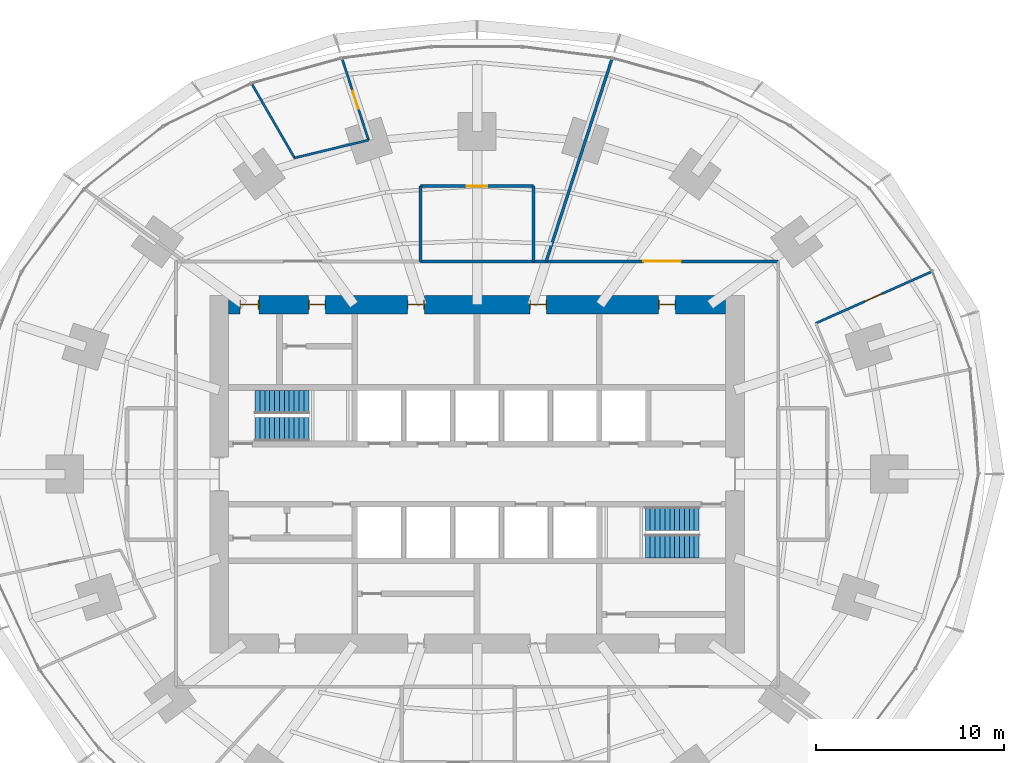
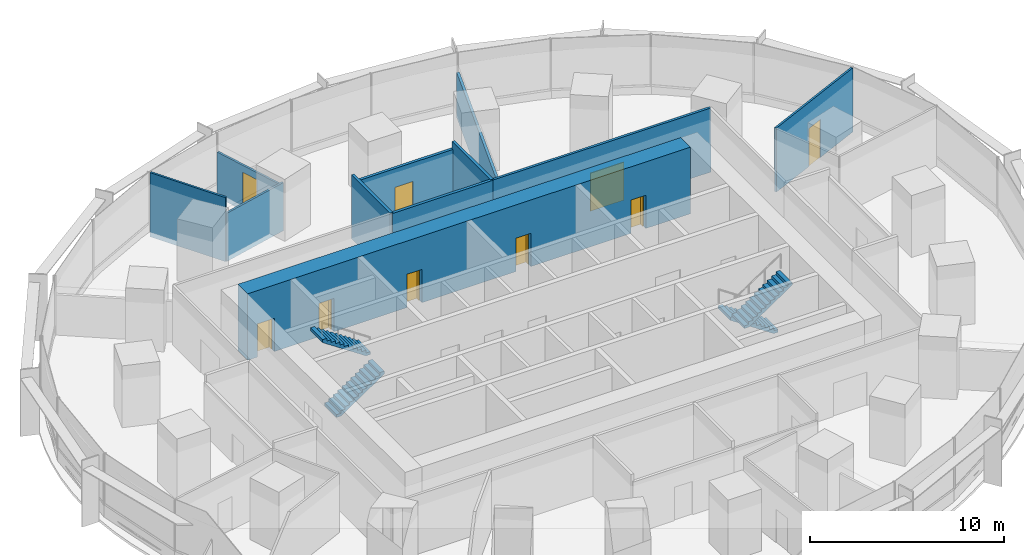
# One storey, part 13 of 15: 11 walls, 9 doors, 4 stair flights, 9 openings, 2 elements without a shape of their own.
"""IFC4 building model written with IfcOpenShell, lengths in metres."""

from ifc_helpers import new_model, si_unit, direction, frame, frame_2d, origin, place, context, subcontext, project, spatial, polyline, rectangle, outline, extrude, material, layer, layer_set, type_object, element, fill, aggregate, save


model = new_model("IFC4")

# Units and contexts
model_context = context("Model", 3, precision=1e-05, world=origin(), true_north=direction((0.0, 1.0)))
body_context = subcontext(model_context, "Body", "Model", "MODEL_VIEW")
ifc_project = project(units=[si_unit("LENGTHUNIT", "METRE"), si_unit("AREAUNIT", "SQUARE_METRE"), si_unit("VOLUMEUNIT", "CUBIC_METRE"), si_unit("PLANEANGLEUNIT", "RADIAN"), si_unit("MASSUNIT", "GRAM", prefix="KILO")], contexts=[model_context])

# Site, building, storey
site_placement = place(None, origin())
site = spatial("IfcSite", under=ifc_project, at=site_placement, CompositionType="ELEMENT")
building_placement = place(site_placement, origin())
building = spatial("IfcBuilding", under=site, at=building_placement, Name="Marramba Exchange Tower", CompositionType="ELEMENT")
storey_placement = place(building_placement, frame((0.0, 0.0, 74.199951171875)))
storey = spatial("IfcBuildingStorey", under=building, at=storey_placement, Name="L17", CompositionType="ELEMENT", Elevation=74.199951171875)

# Walls
ifc_material_1 = material(Name="Plasterboard on staggered double steel studs, acoustic insulation", Category="steel")
ifc_layer_1 = layer(ifc_material_1, 0.169921875)
ifc_layer_set_1 = layer_set([ifc_layer_1], Name="Acoustic partition 170")
wall_type_1 = type_object("IfcWallType", Name="Acoustic partition 170", PredefinedType="PARTITIONING", material=ifc_layer_set_1)
wall_1_placement = place(storey_placement, frame((3.0, 11.300048828125, 0.0), z_axis=(0.0, 0.0, 1.0), x_axis=(0.0, 1.0, 0.0)))
element("IfcWall", 1, at=wall_1_placement, inside=storey, type_object=wall_type_1, Name="Acoustic partition L17 30", PredefinedType="PARTITIONING", context=body_context, shape_type="SweptSolid", body=[
    extrude(rectangle(XDim=4.0, YDim=0.169921875, at=frame_2d((2.0, 0.0))), origin(), (0.0, 0.0, 1.0), 4.0400390625),
])
wall_2_placement = place(storey_placement, frame((-3.0, 11.300048828125, 0.0), z_axis=(0.0, 0.0, 1.0), x_axis=(1.0, 0.0, 0.0)))
element("IfcWall", 2, at=wall_2_placement, inside=storey, type_object=wall_type_1, Name="Acoustic partition L17 31", PredefinedType="PARTITIONING", context=body_context, shape_type="SweptSolid", body=[
    extrude(rectangle(XDim=6.0, YDim=0.169921875, at=frame_2d((3.0, 0.0))), origin(), (0.0, 0.0, 1.0), 4.0400390625),
])

# Wall, opening, door
wall_3_placement = place(storey_placement, frame((3.0, 15.300048828125, 0.0), z_axis=(0.0, 0.0, 1.0), x_axis=(-1.0, 0.0, 0.0)))
wall_3 = element("IfcWall", 3, at=wall_3_placement, inside=storey, type_object=wall_type_1, Name="Acoustic partition L17 32", PredefinedType="PARTITIONING", context=body_context, shape_type="SweptSolid", body=[
    extrude(rectangle(XDim=6.0, YDim=0.169921875, at=frame_2d((3.0, 0.0))), origin(), (0.0, 0.0, 1.0), 3.5859375),
])
opening_1_placement = place(wall_3_placement, frame((2.449951171875, 0.0, 0.0)))
opening_1 = element("IfcOpeningElement", 4, at=opening_1_placement, cuts=wall_3, Name="Opening D15", PredefinedType="OPENING", context=body_context, shape_type="SweptSolid", body=[
    extrude(rectangle(XDim=1.10009765625, YDim=2.39990234375, at=frame_2d((0.550048828125, 1.199951171875))), frame((0.0, 0.094970703125, 0.0), z_axis=(0.0, -1.0, 0.0), x_axis=(1.0, 0.0, 0.0)), (0.0, 0.0, 1.0), 0.18994140625),
])
ifc_material_2 = material(Name="Timber door", Category="wood")
door_type_1 = type_object("IfcDoorType", Name="Glazed meeting room door 1100x2400", OperationType="SINGLE_SWING_LEFT", PredefinedType="DOOR", material=ifc_material_2)
door_1_placement = place(opening_1_placement, origin())
door_1 = element("IfcDoor", 5, at=door_1_placement, inside=storey, type_object=door_type_1, Name="D15 Meeting Room 1 L17", OperationType="SINGLE_SWING_RIGHT", OverallHeight=2.39990234375, OverallWidth=1.10009765625, PredefinedType="DOOR", context=body_context, shape_type="SweptSolid", body=[
    extrude(rectangle(XDim=1.10009765625, YDim=2.39990234375, at=frame_2d((0.550048828125, 1.199951171875))), frame((0.0, 0.02490234375, 0.0), z_axis=(0.0, -1.0, 0.0), x_axis=(1.0, 0.0, 0.0)), (0.0, 0.0, 1.0), 0.050048828125),
])
fill(opening_1, door_1)

# Wall
wall_4_placement = place(storey_placement, frame((-3.0, 15.300048828125, 0.0), z_axis=(0.0, 0.0, 1.0), x_axis=(0.0, -1.0, 0.0)))
element("IfcWall", 6, at=wall_4_placement, inside=storey, type_object=wall_type_1, Name="Acoustic partition L17 33", PredefinedType="PARTITIONING", context=body_context, shape_type="SweptSolid", body=[
    extrude(rectangle(XDim=4.0, YDim=0.169921875, at=frame_2d((2.0, 0.0))), origin(), (0.0, 0.0, 1.0), 4.0400390625),
])

# Wall, openings, doors
ifc_material_3 = material(Name="Concrete N50", Category="concrete")
ifc_layer_2 = layer(ifc_material_3, 1.0)
ifc_layer_set_2 = layer_set([ifc_layer_2], Name="Core wall 1000")
wall_type_2 = type_object("IfcWallType", Name="Core wall 1000", PredefinedType="SHEAR", material=ifc_layer_set_2)
wall_5_placement = place(storey_placement, frame((13.199951171875, 9.0, 0.0), z_axis=(0.0, 0.0, 1.0), x_axis=(-1.0, 0.0, 0.0)))
wall_5 = element("IfcWall", 7, at=wall_5_placement, inside=storey, type_object=wall_type_2, Name="Core wall N L17", PredefinedType="SHEAR", context=body_context, shape_type="SweptSolid", body=[
    extrude(rectangle(XDim=26.39990234375, YDim=1.0, at=frame_2d((13.199951171875, 0.0))), origin(), (0.0, 0.0, 1.0), 4.199951171875),
])
opening_2_placement = place(wall_5_placement, frame((2.64990234375, 0.0, 0.0)))
opening_2 = element("IfcOpeningElement", 8, at=opening_2_placement, cuts=wall_5, Name="Opening D5", PredefinedType="OPENING", context=body_context, shape_type="SweptSolid", body=[
    extrude(rectangle(XDim=0.89990234375, YDim=2.10009765625, at=frame_2d((0.449951171875, 1.050048828125))), frame((0.0, 0.510009765625, 0.0), z_axis=(0.0, -1.0, 0.0), x_axis=(1.0, 0.0, 0.0)), (0.0, 0.0, 1.0), 1.02001953125),
])
opening_3_placement = place(wall_5_placement, frame((9.5, 0.0, 0.0)))
opening_3 = element("IfcOpeningElement", 9, at=opening_3_placement, cuts=wall_5, Name="Opening D3", PredefinedType="OPENING", context=body_context, shape_type="SweptSolid", body=[
    extrude(rectangle(XDim=0.89990234375, YDim=2.10009765625, at=frame_2d((0.449951171875, 1.050048828125))), frame((0.0, 0.510009765625, 0.0), z_axis=(0.0, -1.0, 0.0), x_axis=(1.0, 0.0, 0.0)), (0.0, 0.0, 1.0), 1.02001953125),
])
opening_4_placement = place(wall_5_placement, frame((16.0, 0.0, 0.0)))
opening_4 = element("IfcOpeningElement", 10, at=opening_4_placement, cuts=wall_5, Name="Opening D3", PredefinedType="OPENING", context=body_context, shape_type="SweptSolid", body=[
    extrude(rectangle(XDim=0.89990234375, YDim=2.10009765625, at=frame_2d((0.449951171875, 1.050048828125))), frame((0.0, 0.510009765625, 0.0), z_axis=(0.0, -1.0, 0.0), x_axis=(1.0, 0.0, 0.0)), (0.0, 0.0, 1.0), 1.02001953125),
])
opening_5_placement = place(wall_5_placement, frame((21.25, 0.0, 0.0)))
opening_5 = element("IfcOpeningElement", 11, at=opening_5_placement, cuts=wall_5, Name="Opening D5", PredefinedType="OPENING", context=body_context, shape_type="SweptSolid", body=[
    extrude(rectangle(XDim=0.89990234375, YDim=2.10009765625, at=frame_2d((0.449951171875, 1.050048828125))), frame((0.0, 0.510009765625, 0.0), z_axis=(0.0, -1.0, 0.0), x_axis=(1.0, 0.0, 0.0)), (0.0, 0.0, 1.0), 1.02001953125),
])
opening_6_placement = place(wall_5_placement, frame((24.800048828125, 0.0, 0.0)))
opening_6 = element("IfcOpeningElement", 12, at=opening_6_placement, cuts=wall_5, Name="Opening D4", PredefinedType="OPENING", context=body_context, shape_type="SweptSolid", body=[
    extrude(rectangle(XDim=1.0, YDim=2.10009765625, at=frame_2d((0.5, 1.050048828125))), frame((0.0, 0.510009765625, 0.0), z_axis=(0.0, -1.0, 0.0), x_axis=(1.0, 0.0, 0.0)), (0.0, 0.0, 1.0), 1.02001953125),
])
ifc_material_4 = material(Name="Steel-framed door", Category="steel")
door_type_2 = type_object("IfcDoorType", Name="Accessible toilet door 1000x2100", OperationType="SINGLE_SWING_LEFT", PredefinedType="DOOR", material=ifc_material_4)
door_2_placement = place(opening_6_placement, origin())
door_2 = element("IfcDoor", 13, at=door_2_placement, inside=storey, type_object=door_type_2, Name="D4 awc L17", OperationType="SINGLE_SWING_RIGHT", OverallHeight=2.10009765625, OverallWidth=1.0, PredefinedType="DOOR", context=body_context, shape_type="SweptSolid", body=[
    extrude(rectangle(XDim=0.919921875, YDim=2.06005859375, at=frame_2d((0.5, 1.030029296875))), frame((0.0, 0.02490234375, 0.0), z_axis=(0.0, -1.0, 0.0), x_axis=(1.0, 0.0, 0.0)), (0.0, 0.0, 1.0), 0.050048828125),
    extrude(rectangle(XDim=0.04, YDim=2.10009765625, at=frame_2d((0.02001953125, 1.050048828125))), frame((0.0, 0.25, 0.0), z_axis=(0.0, -1.0, 0.0), x_axis=(1.0, 0.0, 0.0)), (0.0, 0.0, 1.0), 0.5),
    extrude(rectangle(XDim=0.04, YDim=2.10009765625, at=frame_2d((0.97998046875, 1.050048828125))), frame((0.0, 0.25, 0.0), z_axis=(0.0, -1.0, 0.0), x_axis=(1.0, 0.0, 0.0)), (0.0, 0.0, 1.0), 0.5),
    extrude(rectangle(XDim=0.919921875, YDim=0.04, at=frame_2d((0.5, 2.080078125))), frame((0.0, 0.25, 0.0), z_axis=(0.0, -1.0, 0.0), x_axis=(1.0, 0.0, 0.0)), (0.0, 0.0, 1.0), 0.5),
])
fill(opening_6, door_2)
door_type_3 = type_object("IfcDoorType", Name="Service door 900x2100", OperationType="SINGLE_SWING_LEFT", PredefinedType="DOOR", material=ifc_material_4)
door_3_placement = place(opening_2_placement, origin())
door_3 = element("IfcDoor", 14, at=door_3_placement, inside=storey, type_object=door_type_3, Name="D5 comms L17", OperationType="SINGLE_SWING_LEFT", OverallHeight=2.10009765625, OverallWidth=0.89990234375, PredefinedType="DOOR", context=body_context, shape_type="SweptSolid", body=[
    extrude(rectangle(XDim=0.81982421875, YDim=2.06005859375, at=frame_2d((0.449951171875, 1.030029296875))), frame((0.0, 0.02490234375, 0.0), z_axis=(0.0, -1.0, 0.0), x_axis=(1.0, 0.0, 0.0)), (0.0, 0.0, 1.0), 0.050048828125),
    extrude(rectangle(XDim=0.04, YDim=2.10009765625, at=frame_2d((0.02001953125, 1.050048828125))), frame((0.0, 0.25, 0.0), z_axis=(0.0, -1.0, 0.0), x_axis=(1.0, 0.0, 0.0)), (0.0, 0.0, 1.0), 0.5),
    extrude(rectangle(XDim=0.04, YDim=2.10009765625, at=frame_2d((0.8798828125, 1.050048828125))), frame((0.0, 0.25, 0.0), z_axis=(0.0, -1.0, 0.0), x_axis=(1.0, 0.0, 0.0)), (0.0, 0.0, 1.0), 0.5),
    extrude(rectangle(XDim=0.81982421875, YDim=0.04, at=frame_2d((0.449951171875, 2.080078125))), frame((0.0, 0.25, 0.0), z_axis=(0.0, -1.0, 0.0), x_axis=(1.0, 0.0, 0.0)), (0.0, 0.0, 1.0), 0.5),
])
fill(opening_2, door_3)
door_4_placement = place(opening_5_placement, origin())
door_4 = element("IfcDoor", 15, at=door_4_placement, inside=storey, type_object=door_type_3, Name="D5 cleaner L17", OperationType="SINGLE_SWING_RIGHT", OverallHeight=2.10009765625, OverallWidth=0.89990234375, PredefinedType="DOOR", context=body_context, shape_type="SweptSolid", body=[
    extrude(rectangle(XDim=0.81982421875, YDim=2.06005859375, at=frame_2d((0.449951171875, 1.030029296875))), frame((0.0, 0.02490234375, 0.0), z_axis=(0.0, -1.0, 0.0), x_axis=(1.0, 0.0, 0.0)), (0.0, 0.0, 1.0), 0.050048828125),
    extrude(rectangle(XDim=0.04, YDim=2.10009765625, at=frame_2d((0.02001953125, 1.050048828125))), frame((0.0, 0.25, 0.0), z_axis=(0.0, -1.0, 0.0), x_axis=(1.0, 0.0, 0.0)), (0.0, 0.0, 1.0), 0.5),
    extrude(rectangle(XDim=0.04, YDim=2.10009765625, at=frame_2d((0.8798828125, 1.050048828125))), frame((0.0, 0.25, 0.0), z_axis=(0.0, -1.0, 0.0), x_axis=(1.0, 0.0, 0.0)), (0.0, 0.0, 1.0), 0.5),
    extrude(rectangle(XDim=0.81982421875, YDim=0.04, at=frame_2d((0.449951171875, 2.080078125))), frame((0.0, 0.25, 0.0), z_axis=(0.0, -1.0, 0.0), x_axis=(1.0, 0.0, 0.0)), (0.0, 0.0, 1.0), 0.5),
])
fill(opening_5, door_4)
door_type_4 = type_object("IfcDoorType", Name="Toilet door 900x2100", OperationType="SINGLE_SWING_LEFT", PredefinedType="DOOR", material=ifc_material_4)
door_5_placement = place(opening_3_placement, origin())
door_5 = element("IfcDoor", 16, at=door_5_placement, inside=storey, type_object=door_type_4, Name="D3 wc-f L17", OperationType="SINGLE_SWING_RIGHT", OverallHeight=2.10009765625, OverallWidth=0.89990234375, PredefinedType="DOOR", context=body_context, shape_type="SweptSolid", body=[
    extrude(rectangle(XDim=0.81982421875, YDim=2.06005859375, at=frame_2d((0.449951171875, 1.030029296875))), frame((0.0, 0.02490234375, 0.0), z_axis=(0.0, -1.0, 0.0), x_axis=(1.0, 0.0, 0.0)), (0.0, 0.0, 1.0), 0.050048828125),
    extrude(rectangle(XDim=0.04, YDim=2.10009765625, at=frame_2d((0.02001953125, 1.050048828125))), frame((0.0, 0.25, 0.0), z_axis=(0.0, -1.0, 0.0), x_axis=(1.0, 0.0, 0.0)), (0.0, 0.0, 1.0), 0.5),
    extrude(rectangle(XDim=0.04, YDim=2.10009765625, at=frame_2d((0.8798828125, 1.050048828125))), frame((0.0, 0.25, 0.0), z_axis=(0.0, -1.0, 0.0), x_axis=(1.0, 0.0, 0.0)), (0.0, 0.0, 1.0), 0.5),
    extrude(rectangle(XDim=0.81982421875, YDim=0.04, at=frame_2d((0.449951171875, 2.080078125))), frame((0.0, 0.25, 0.0), z_axis=(0.0, -1.0, 0.0), x_axis=(1.0, 0.0, 0.0)), (0.0, 0.0, 1.0), 0.5),
])
fill(opening_3, door_5)
door_6_placement = place(opening_4_placement, origin())
door_6 = element("IfcDoor", 17, at=door_6_placement, inside=storey, type_object=door_type_4, Name="D3 wc-m L17", OperationType="SINGLE_SWING_RIGHT", OverallHeight=2.10009765625, OverallWidth=0.89990234375, PredefinedType="DOOR", context=body_context, shape_type="SweptSolid", body=[
    extrude(rectangle(XDim=0.81982421875, YDim=2.06005859375, at=frame_2d((0.449951171875, 1.030029296875))), frame((0.0, 0.02490234375, 0.0), z_axis=(0.0, -1.0, 0.0), x_axis=(1.0, 0.0, 0.0)), (0.0, 0.0, 1.0), 0.050048828125),
    extrude(rectangle(XDim=0.04, YDim=2.10009765625, at=frame_2d((0.02001953125, 1.050048828125))), frame((0.0, 0.25, 0.0), z_axis=(0.0, -1.0, 0.0), x_axis=(1.0, 0.0, 0.0)), (0.0, 0.0, 1.0), 0.5),
    extrude(rectangle(XDim=0.04, YDim=2.10009765625, at=frame_2d((0.8798828125, 1.050048828125))), frame((0.0, 0.25, 0.0), z_axis=(0.0, -1.0, 0.0), x_axis=(1.0, 0.0, 0.0)), (0.0, 0.0, 1.0), 0.5),
    extrude(rectangle(XDim=0.81982421875, YDim=0.04, at=frame_2d((0.449951171875, 2.080078125))), frame((0.0, 0.25, 0.0), z_axis=(0.0, -1.0, 0.0), x_axis=(1.0, 0.0, 0.0)), (0.0, 0.0, 1.0), 0.5),
])
fill(opening_4, door_6)

# Wall, opening, door
ifc_material_5 = material(Name="Plasterboard on steel studs", Category="steel")
ifc_layer_3 = layer(ifc_material_5, 0.1201171875)
ifc_layer_set_3 = layer_set([ifc_layer_3], Name="Partition 120")
wall_type_3 = type_object("IfcWallType", Name="Partition 120", PredefinedType="PARTITIONING", material=ifc_layer_set_3)
wall_6_placement = place(storey_placement, frame((24.12353515625, 10.740478515625, 0.0), z_axis=(0.0, 0.0, 1.0), x_axis=(-0.91354990356, -0.406726657235, 0.0)))
wall_6 = element("IfcWall", 18, at=wall_6_placement, inside=storey, type_object=wall_type_3, Name="Partition L17 26", PredefinedType="PARTITIONING", context=body_context, shape_type="SweptSolid", body=[
    extrude(rectangle(XDim=6.699951171875, YDim=0.1201171875, at=frame_2d((3.35009765625, 0.0))), origin(), (0.0, 0.0, 1.0), 4.0400390625),
])
opening_7_placement = place(wall_6_placement, frame((2.85009765625, 0.0, 0.0)))
opening_7 = element("IfcOpeningElement", 19, at=opening_7_placement, cuts=wall_6, Name="Opening D9", PredefinedType="OPENING", context=body_context, shape_type="SweptSolid", body=[
    extrude(rectangle(XDim=1.0, YDim=2.39990234375, at=frame_2d((0.5, 1.199951171875))), frame((0.0, 0.070068359375, 0.0), z_axis=(0.0, -1.0, 0.0), x_axis=(1.0, 0.0, 0.0)), (0.0, 0.0, 1.0), 0.14013671875),
])
door_type_5 = type_object("IfcDoorType", Name="Room door 1000x2400", OperationType="SINGLE_SWING_LEFT", PredefinedType="DOOR", material=ifc_material_2)
door_7_placement = place(opening_7_placement, origin())
door_7 = element("IfcDoor", 20, at=door_7_placement, inside=storey, type_object=door_type_5, Name="D9 Firm Principal Office 4 L17", OperationType="SINGLE_SWING_RIGHT", OverallHeight=2.39990234375, OverallWidth=1.0, PredefinedType="DOOR", context=body_context, shape_type="SweptSolid", body=[
    extrude(rectangle(XDim=1.0, YDim=2.39990234375, at=frame_2d((0.5, 1.199951171875))), frame((0.0, 0.02490234375, 0.0), z_axis=(0.0, -1.0, 0.0), x_axis=(1.0, 0.0, 0.0)), (0.0, 0.0, 1.0), 0.050048828125),
])
fill(opening_7, door_7)

wall_7_placement = place(storey_placement, frame((-5.76611328125, 17.74658203125, 0.0), z_axis=(0.0, 0.0, 1.0), x_axis=(-0.309024734286, 0.951054001411, 0.0)))
wall_7 = element("IfcWall", 21, at=wall_7_placement, inside=storey, type_object=wall_type_3, Name="Partition L17 34", PredefinedType="PARTITIONING", context=body_context, shape_type="SweptSolid", body=[
    extrude(rectangle(XDim=4.5, YDim=0.1201171875, at=frame_2d((2.25, 0.0))), origin(), (0.0, 0.0, 1.0), 2.840087890625),
])
opening_8_placement = place(wall_7_placement, frame((1.75, 0.0, 0.0)))
opening_8 = element("IfcOpeningElement", 22, at=opening_8_placement, cuts=wall_7, Name="Opening D9", PredefinedType="OPENING", context=body_context, shape_type="SweptSolid", body=[
    extrude(rectangle(XDim=1.0, YDim=2.39990234375, at=frame_2d((0.5, 1.199951171875))), frame((0.0, 0.070068359375, 0.0), z_axis=(0.0, -1.0, 0.0), x_axis=(1.0, 0.0, 0.0)), (0.0, 0.0, 1.0), 0.14013671875),
])
door_8_placement = place(opening_8_placement, origin())
door_8 = element("IfcDoor", 23, at=door_8_placement, inside=storey, type_object=door_type_5, Name="D9 Firm Principal Office 1 L17", OperationType="SINGLE_SWING_LEFT", OverallHeight=2.39990234375, OverallWidth=1.0, PredefinedType="DOOR", context=body_context, shape_type="SweptSolid", body=[
    extrude(rectangle(XDim=1.0, YDim=2.39990234375, at=frame_2d((0.5, 1.199951171875))), frame((0.0, 0.02490234375, 0.0), z_axis=(0.0, -1.0, 0.0), x_axis=(1.0, 0.0, 0.0)), (0.0, 0.0, 1.0), 0.050048828125),
])
fill(opening_8, door_8)

# Walls
wall_8_placement = place(storey_placement, frame((-9.69921875, 16.7998046875, 0.0), z_axis=(0.0, 0.0, 1.0), x_axis=(0.972228214525, 0.23403482408, 0.0)))
element("IfcWall", 24, at=wall_8_placement, inside=storey, type_object=wall_type_3, Name="Partition L17 35", PredefinedType="PARTITIONING", context=body_context, shape_type="SweptSolid", body=[
    extrude(rectangle(XDim=4.04541015625, YDim=0.1201171875, at=frame_2d((2.022705078125, 0.0))), origin(), (0.0, 0.0, 1.0), 3.0400390625),
])
wall_9_placement = place(storey_placement, frame((-11.94921875, 20.69677734375, 0.0), z_axis=(0.0, 0.0, 1.0), x_axis=(0.500013631625, -0.866017533419, 0.0)))
element("IfcWall", 25, at=wall_9_placement, inside=storey, type_object=wall_type_3, Name="Partition L17 36", PredefinedType="PARTITIONING", context=body_context, shape_type="SweptSolid", body=[
    extrude(rectangle(XDim=4.499755859375, YDim=0.1201171875, at=frame_2d((2.25, 0.0))), origin(), (0.0, 0.0, 1.0), 4.0400390625),
])

# Wall, opening, door
ifc_material_6 = material(Name="Fire-rated plasterboard on steel studs, acoustic insulation", Category="steel")
ifc_layer_4 = layer(ifc_material_6, 0.14990234375)
ifc_layer_set_4 = layer_set([ifc_layer_4], Name="Tenancy wall 150")
wall_type_4 = type_object("IfcWallType", Name="Tenancy wall 150", PredefinedType="PARTITIONING", material=ifc_layer_set_4)
wall_10_placement = place(storey_placement, frame((16.0, 11.300048828125, 0.0), z_axis=(0.0, 0.0, 1.0), x_axis=(-1.0, 0.0, 0.0)))
wall_10 = element("IfcWall", 26, at=wall_10_placement, inside=storey, type_object=wall_type_4, Name="Tenancy wall L17 28", PredefinedType="PARTITIONING", context=body_context, shape_type="SweptSolid", body=[
    extrude(rectangle(XDim=13.0, YDim=0.14990234375, at=frame_2d((6.5, 0.0))), origin(), (0.0, 0.0, 1.0), 4.0400390625),
])
opening_9_placement = place(wall_10_placement, frame((5.1640625, 0.0, 0.0)))
opening_9 = element("IfcOpeningElement", 27, at=opening_9_placement, cuts=wall_10, Name="Opening D17", PredefinedType="OPENING", context=body_context, shape_type="SweptSolid", body=[
    extrude(rectangle(XDim=2.0, YDim=2.39990234375, at=frame_2d((1.0, 1.199951171875))), frame((0.0, 0.0849609375, 0.0), z_axis=(0.0, -1.0, 0.0), x_axis=(1.0, 0.0, 0.0)), (0.0, 0.0, 1.0), 0.169921875),
])
door_type_6 = type_object("IfcDoorType", Name="Trading floor entry door pair 2000x2400", OperationType="DOUBLE_DOOR_SINGLE_SWING", PredefinedType="DOOR", material=ifc_material_4)
door_9_placement = place(opening_9_placement, origin())
door_9 = element("IfcDoor", 28, at=door_9_placement, inside=storey, type_object=door_type_6, Name="D17 Trading Floor 4 L17", OperationType="DOUBLE_DOOR_SINGLE_SWING", OverallHeight=2.39990234375, OverallWidth=2.0, PredefinedType="DOOR", context=body_context, shape_type="SweptSolid", body=[
    extrude(rectangle(XDim=2.0, YDim=2.39990234375, at=frame_2d((1.0, 1.199951171875))), frame((0.0, 0.02490234375, 0.0), z_axis=(0.0, -1.0, 0.0), x_axis=(1.0, 0.0, 0.0)), (0.0, 0.0, 1.0), 0.050048828125),
])
fill(opening_9, door_9)

# Wall
wall_11_placement = place(storey_placement, frame((7.15673828125, 22.0263671875, 0.0), z_axis=(0.0, 0.0, 1.0), x_axis=(-0.309010203018, -0.951058722914, 0.0)))
element("IfcWall", 29, at=wall_11_placement, inside=storey, type_object=wall_type_4, Name="Tenancy wall L17 29", PredefinedType="PARTITIONING", context=body_context, shape_type="SweptSolid", body=[
    extrude(rectangle(XDim=11.2783203125, YDim=0.14990234375, at=frame_2d((5.63916015625, 0.0))), origin(), (0.0, 0.0, 1.0), 2.840087890625),
])

# Stair, stair flights
ifc_material_7 = material(Name="Concrete N40 (40 MPa)", Category="concrete")
stair_type_1 = type_object("IfcStairType", Name="Exit stair ST1 4200 x 1250", PredefinedType="HALF_TURN_STAIR", material=ifc_material_7)
stair_1_placement = place(storey_placement, origin())
stair_1 = element("IfcStair", 30, at=stair_1_placement, inside=storey, type_object=stair_type_1, Name="Exit stair ST1 L17", PredefinedType="HALF_TURN_STAIR")
stair_flight_type_1 = type_object("IfcStairFlightType", Name="ST1 stair flight 1750 riser 1250 wide", PredefinedType="STRAIGHT", material=ifc_material_7)
stair_flight_1_placement = place(storey_placement, frame((-11.800048828125, 2.375, 0.0), z_axis=(0.0, 0.0, 1.0), x_axis=(1.0, 0.0, 0.0)))
stair_flight_1 = element("IfcStairFlight", 31, at=stair_flight_1_placement, type_object=stair_flight_type_1, Name="ST1 flight 1", NumberOfRisers=12, NumberOfTreads=11, PredefinedType="STRAIGHT", RiserHeight=0.175, TreadLength=0.26, context=body_context, shape_type="SweptSolid", body=[
    extrude(outline(polyline([(0.0, 0.0), (0.0, 0.175048828125), (0.260009765625, 0.175048828125), (0.260009765625, 0.35009765625), (0.52001953125, 0.35009765625), (0.52001953125, 0.52490234375), (0.780029296875, 0.52490234375), (0.780029296875, 0.699951171875), (1.0400390625, 0.699951171875), (1.0400390625, 0.875), (1.300048828125, 0.875), (1.300048828125, 1.050048828125), (1.56005859375, 1.050048828125), (1.56005859375, 1.22509765625), (1.820068359375, 1.22509765625), (1.820068359375, 1.39990234375), (2.080078125, 1.39990234375), (2.080078125, 1.574951171875), (2.340087890625, 1.574951171875), (2.340087890625, 1.75), (2.60009765625, 1.75), (2.60009765625, 1.925048828125), (2.860107421875, 1.925048828125), (2.860107421875, 2.10009765625), (2.860107421875, 1.744384765625), (0.2685546875, 0.0), (0.0, 0.0)])), frame((0.0, 0.625, 0.0), z_axis=(0.0, -1.0, 0.0), x_axis=(1.0, 0.0, 0.0)), (0.0, 0.0, 1.0), 1.25),
])
stair_flight_2_placement = place(storey_placement, frame((-8.93994140625, 3.824951171875, 2.10009765625), z_axis=(0.0, 0.0, 1.0), x_axis=(-1.0, 0.0, 0.0)))
stair_flight_2 = element("IfcStairFlight", 32, at=stair_flight_2_placement, type_object=stair_flight_type_1, Name="ST1 flight 2", NumberOfRisers=12, NumberOfTreads=11, PredefinedType="STRAIGHT", RiserHeight=0.175, TreadLength=0.26, context=body_context, shape_type="SweptSolid", body=[
    extrude(outline(polyline([(0.0, 0.0), (0.0, 0.175048828125), (0.260009765625, 0.175048828125), (0.260009765625, 0.35009765625), (0.52001953125, 0.35009765625), (0.52001953125, 0.52490234375), (0.780029296875, 0.52490234375), (0.780029296875, 0.699951171875), (1.0400390625, 0.699951171875), (1.0400390625, 0.875), (1.300048828125, 0.875), (1.300048828125, 1.050048828125), (1.56005859375, 1.050048828125), (1.56005859375, 1.22509765625), (1.820068359375, 1.22509765625), (1.820068359375, 1.39990234375), (2.080078125, 1.39990234375), (2.080078125, 1.574951171875), (2.340087890625, 1.574951171875), (2.340087890625, 1.75), (2.60009765625, 1.75), (2.60009765625, 1.925048828125), (2.860107421875, 1.925048828125), (2.860107421875, 2.10009765625), (2.860107421875, 1.744384765625), (0.2685546875, 0.0), (0.0, 0.0)])), frame((0.0, 0.625, 0.0), z_axis=(0.0, -1.0, 0.0), x_axis=(1.0, 0.0, 0.0)), (0.0, 0.0, 1.0), 1.25),
])
aggregate(stair_1, [stair_flight_1, stair_flight_2])

stair_type_2 = type_object("IfcStairType", Name="Exit stair ST2 4200 x 1250", PredefinedType="HALF_TURN_STAIR", material=ifc_material_7)
stair_2_placement = place(storey_placement, origin())
stair_2 = element("IfcStair", 33, at=stair_2_placement, inside=storey, type_object=stair_type_2, Name="Exit stair ST2 L17", PredefinedType="HALF_TURN_STAIR")
stair_flight_type_2 = type_object("IfcStairFlightType", Name="ST2 stair flight 1750 riser 1250 wide", PredefinedType="STRAIGHT", material=ifc_material_7)
stair_flight_3_placement = place(storey_placement, frame((11.800048828125, -2.375, 0.0), z_axis=(0.0, 0.0, 1.0), x_axis=(-1.0, 0.0, 0.0)))
stair_flight_3 = element("IfcStairFlight", 34, at=stair_flight_3_placement, type_object=stair_flight_type_2, Name="ST2 flight 1", NumberOfRisers=12, NumberOfTreads=11, PredefinedType="STRAIGHT", RiserHeight=0.175, TreadLength=0.26, context=body_context, shape_type="SweptSolid", body=[
    extrude(outline(polyline([(0.0, 0.0), (0.0, 0.175048828125), (0.260009765625, 0.175048828125), (0.260009765625, 0.35009765625), (0.52001953125, 0.35009765625), (0.52001953125, 0.52490234375), (0.780029296875, 0.52490234375), (0.780029296875, 0.699951171875), (1.0400390625, 0.699951171875), (1.0400390625, 0.875), (1.300048828125, 0.875), (1.300048828125, 1.050048828125), (1.56005859375, 1.050048828125), (1.56005859375, 1.22509765625), (1.820068359375, 1.22509765625), (1.820068359375, 1.39990234375), (2.080078125, 1.39990234375), (2.080078125, 1.574951171875), (2.340087890625, 1.574951171875), (2.340087890625, 1.75), (2.60009765625, 1.75), (2.60009765625, 1.925048828125), (2.860107421875, 1.925048828125), (2.860107421875, 2.10009765625), (2.860107421875, 1.744384765625), (0.2685546875, 0.0), (0.0, 0.0)])), frame((0.0, 0.625, 0.0), z_axis=(0.0, -1.0, 0.0), x_axis=(1.0, 0.0, 0.0)), (0.0, 0.0, 1.0), 1.25),
])
stair_flight_4_placement = place(storey_placement, frame((8.93994140625, -3.824951171875, 2.10009765625), z_axis=(0.0, 0.0, 1.0), x_axis=(1.0, 0.0, 0.0)))
stair_flight_4 = element("IfcStairFlight", 35, at=stair_flight_4_placement, type_object=stair_flight_type_2, Name="ST2 flight 2", NumberOfRisers=12, NumberOfTreads=11, PredefinedType="STRAIGHT", RiserHeight=0.175, TreadLength=0.26, context=body_context, shape_type="SweptSolid", body=[
    extrude(outline(polyline([(0.0, 0.0), (0.0, 0.175048828125), (0.260009765625, 0.175048828125), (0.260009765625, 0.35009765625), (0.52001953125, 0.35009765625), (0.52001953125, 0.52490234375), (0.780029296875, 0.52490234375), (0.780029296875, 0.699951171875), (1.0400390625, 0.699951171875), (1.0400390625, 0.875), (1.300048828125, 0.875), (1.300048828125, 1.050048828125), (1.56005859375, 1.050048828125), (1.56005859375, 1.22509765625), (1.820068359375, 1.22509765625), (1.820068359375, 1.39990234375), (2.080078125, 1.39990234375), (2.080078125, 1.574951171875), (2.340087890625, 1.574951171875), (2.340087890625, 1.75), (2.60009765625, 1.75), (2.60009765625, 1.925048828125), (2.860107421875, 1.925048828125), (2.860107421875, 2.10009765625), (2.860107421875, 1.744384765625), (0.2685546875, 0.0), (0.0, 0.0)])), frame((0.0, 0.625, 0.0), z_axis=(0.0, -1.0, 0.0), x_axis=(1.0, 0.0, 0.0)), (0.0, 0.0, 1.0), 1.25),
])
aggregate(stair_2, [stair_flight_3, stair_flight_4])

save(model, "model.ifc")
